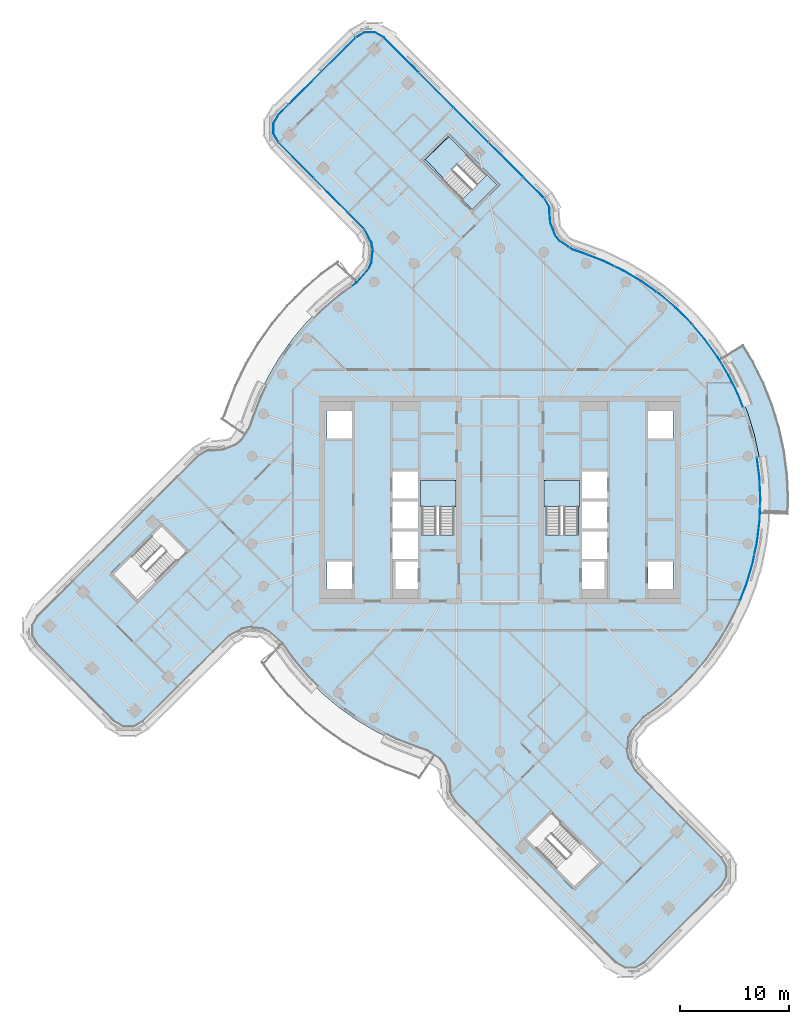
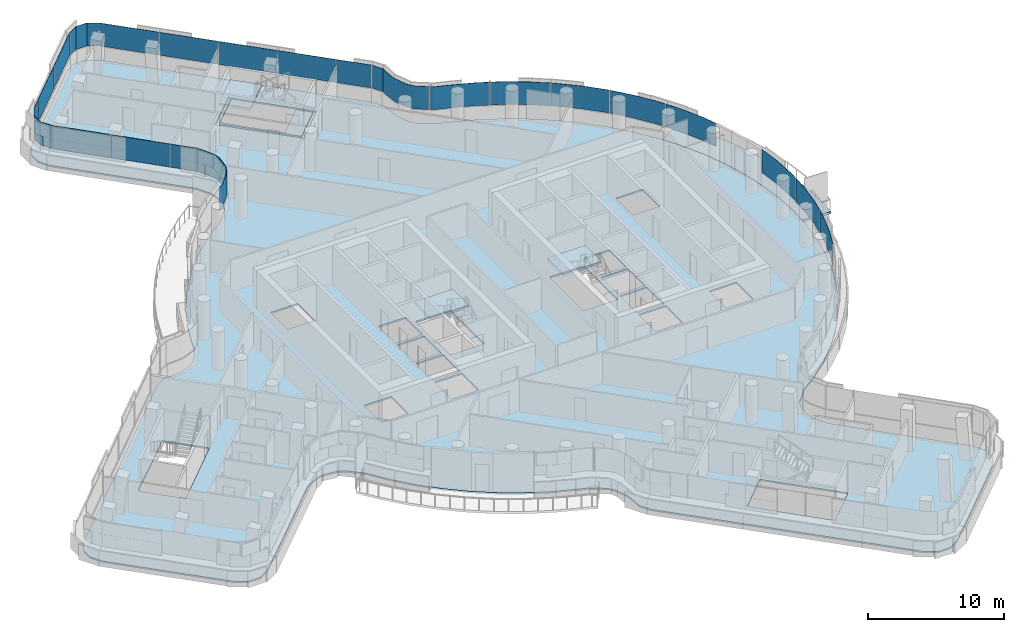
# One storey, part 17 of 31: 21 plates, 6 slabs, 8 elements without a shape of their own.
"""IFC4 building model written with IfcOpenShell, lengths in metres."""

from ifc_helpers import new_model, si_unit, direction, frame, origin, place, context, subcontext, project, spatial, polyline, outline, extrude, material, layer, layer_set, type_object, element, aggregate, save


model = new_model("IFC4")

# Units and contexts
model_context = context("Model", 3, precision=1e-05, world=origin(), true_north=direction((0.0, 1.0)))
body_context = subcontext(model_context, "Body", "Model", "MODEL_VIEW")
ifc_project = project(units=[si_unit("LENGTHUNIT", "METRE"), si_unit("AREAUNIT", "SQUARE_METRE"), si_unit("VOLUMEUNIT", "CUBIC_METRE"), si_unit("PLANEANGLEUNIT", "RADIAN"), si_unit("MASSUNIT", "GRAM", prefix="KILO")], contexts=[model_context])

# Site, building, storey
site_placement = place(None, origin())
site = spatial("IfcSite", under=ifc_project, at=site_placement, CompositionType="ELEMENT")
building_placement = place(site_placement, origin())
building = spatial("IfcBuilding", under=site, at=building_placement, Name="Tamarind Cross Interchange Tower", CompositionType="ELEMENT")
storey_placement = place(building_placement, frame((0.0, 0.0, 196.89990234375)))
storey = spatial("IfcBuildingStorey", under=building, at=storey_placement, Name="L49", CompositionType="ELEMENT", Elevation=196.89990234375)

# Slabs
ifc_material_1 = material(Name="Precast concrete C40", Category="concrete")
ifc_layer_1 = layer(ifc_material_1, 0.199951171875)
ifc_layer_set_1 = layer_set([ifc_layer_1], Name="Precast concrete C40")
slab_type_1 = type_object("IfcSlabType", Name="Balcony slab", PredefinedType="BASESLAB", material=ifc_layer_set_1)
slab_1_placement = place(storey_placement, frame((0.0, 0.0, -0.199951171875)))
element("IfcSlab", 1, at=slab_1_placement, inside=storey, type_object=slab_type_1, Name="SLB-L49-BAL02", PredefinedType="BASESLAB", context=body_context, shape_type="SweptSolid", body=[
    extrude(outline(polyline([(23.948486328125, -1.169921875), (23.995849609375, 0.103271484375), (23.9052734375, 2.08447265625), (23.6513671875, 4.051513671875), (23.236083984375, 5.99072265625), (22.662109375, 7.88916015625), (21.93310546875, 9.733642578125), (21.054443359375, 11.511474609375), (20.2138671875, 12.908447265625), (22.2705078125, 14.145751953125), (23.162109375, 12.663818359375), (24.128662109375, 10.7080078125), (24.9306640625, 8.6787109375), (25.56201171875, 6.59033203125), (26.01904296875, 4.45703125), (26.298095703125, 2.293212890625), (26.397705078125, 0.113525390625), (26.346923828125, -1.2587890625), (23.948486328125, -1.169921875)])), origin(), (0.0, 0.0, 1.0), 0.199951171875),
])
ifc_material_2 = material(Name="Concrete C35", Category="concrete")
ifc_layer_2 = layer(ifc_material_2, 0.139892578125)
ifc_layer_set_2 = layer_set([ifc_layer_2], Name="Concrete C35")
slab_type_2 = type_object("IfcSlabType", Name="Composite slab 140 Concrete C35", PredefinedType="FLOOR", material=ifc_layer_set_2)
slab_2_placement = place(storey_placement, frame((0.0, 0.0, -0.139892578125)))
element("IfcSlab", 2, at=slab_2_placement, inside=storey, type_object=slab_type_2, Name="Floor slab L49", PredefinedType="FLOOR", context=body_context, shape_type="SweptSolid", body=[
    extrude(outline(polyline([(-4.708251953125, -26.83984375), (-4.2021484375, -27.69921875), (10.473388671875, -42.41259765625), (11.369384765625, -42.931396484375), (12.404541015625, -42.9326171875), (13.302001953125, -42.416259765625), (20.382080078125, -35.354248046875), (20.90087890625, -34.45849609375), (20.902099609375, -33.423095703125), (20.385498046875, -32.52587890625), (12.547119140625, -24.605712890625), (11.935546875, -23.4541015625), (11.82666015625, -22.89404296875), (11.9462890625, -21.746337890625), (12.168701171875, -21.220947265625), (13.239990234375, -20.01123046875), (14.820068359375, -18.87255859375), (16.327880859375, -17.584228515625), (17.72412109375, -16.17578125), (18.99951171875, -14.656982421875), (20.14501953125, -13.0380859375), (21.15283203125, -11.329833984375), (22.01611328125, -9.54443359375), (22.72900390625, -7.693603515625), (23.286865234375, -5.79052734375), (23.685546875, -3.84765625), (23.92236328125, -1.878662109375), (23.99560546875, 0.103271484375), (23.9052734375, 2.08447265625), (23.651611328125, 4.051513671875), (23.236083984375, 5.99072265625), (22.662109375, 7.88916015625), (21.93310546875, 9.7333984375), (21.054443359375, 11.511474609375), (20.031982421875, 13.2109375), (18.87255859375, 14.820068359375), (17.584228515625, 16.327880859375), (16.17578125, 17.72412109375), (14.656982421875, 18.99951171875), (13.0380859375, 20.14501953125), (11.329833984375, 21.15283203125), (9.54443359375, 22.01611328125), (7.693603515625, 22.72900390625), (6.697998046875, 23.072265625), (5.597412109375, 23.809814453125), (5.2333984375, 24.260498046875), (4.80029296875, 25.35009765625), (4.725341796875, 26.229736328125), (4.708251953125, 26.83984375), (4.2021484375, 27.69921875), (-10.473388671875, 42.41259765625), (-11.369384765625, 42.931396484375), (-12.404541015625, 42.9326171875), (-13.302001953125, 42.416259765625), (-20.382080078125, 35.354248046875), (-20.90087890625, 34.45849609375), (-20.902099609375, 33.423095703125), (-20.385498046875, 32.52587890625), (-12.547119140625, 24.605712890625), (-11.935546875, 23.4541015625), (-11.82666015625, 22.89404296875), (-11.9462890625, 21.746337890625), (-12.168701171875, 21.220947265625), (-13.239990234375, 20.01123046875), (-14.820068359375, 18.87255859375), (-16.327880859375, 17.584228515625), (-17.72412109375, 16.17578125), (-18.99951171875, 14.656982421875), (-20.14501953125, 13.0380859375), (-21.15283203125, 11.329833984375), (-22.01611328125, 9.54443359375), (-22.72900390625, 7.693603515625), (-23.072265625, 6.697998046875), (-23.809814453125, 5.597412109375), (-24.260498046875, 5.2333984375), (-25.35009765625, 4.80029296875), (-26.229736328125, 4.725341796875), (-26.83984375, 4.708251953125), (-27.69921875, 4.2021484375), (-42.41259765625, -10.473388671875), (-42.931396484375, -11.369384765625), (-42.9326171875, -12.404541015625), (-42.416259765625, -13.302001953125), (-35.354248046875, -20.382080078125), (-34.45849609375, -20.90087890625), (-33.423095703125, -20.902099609375), (-32.52587890625, -20.385498046875), (-24.605712890625, -12.547119140625), (-23.4541015625, -11.935546875), (-22.89404296875, -11.82666015625), (-21.746337890625, -11.9462890625), (-21.220947265625, -12.168701171875), (-20.01123046875, -13.239990234375), (-18.87255859375, -14.820068359375), (-17.584228515625, -16.327880859375), (-16.17578125, -17.72412109375), (-14.656982421875, -18.99951171875), (-13.0380859375, -20.14501953125), (-11.329833984375, -21.15283203125), (-9.54443359375, -22.01611328125), (-7.693603515625, -22.72900390625), (-6.697998046875, -23.072265625), (-5.597412109375, -23.809814453125), (-5.2333984375, -24.260498046875), (-4.80029296875, -25.35009765625), (-4.725341796875, -26.229736328125), (-4.708251953125, -26.83984375)]), holes=[polyline([(-33.113525390625, -9.390380859375), (-33.2548828125, -9.24853515625), (-35.5146484375, -6.98291015625), (-35.656005859375, -6.84130859375), (-35.4541015625, -6.639892578125), (-35.49560546875, -6.5966796875), (-33.12451171875, -4.31640625), (-30.912353515625, -2.10986328125), (-30.77099609375, -2.25146484375), (-28.51123046875, -4.51708984375), (-28.3701171875, -4.65869140625), (-33.113525390625, -9.390380859375)]), polyline([(-13.5, -8.125), (-15.800048828125, -8.125), (-15.800048828125, -5.625), (-13.5, -5.625), (-13.5, -8.125)]), polyline([(-7.5, -8.125), (-9.800048828125, -8.125), (-9.800048828125, -5.625), (-7.5, -5.625), (-7.5, -8.125)]), polyline([(-7.5, -5.375), (-9.800048828125, -5.375), (-9.800048828125, -2.875), (-7.5, -2.875), (-7.5, -5.375)]), polyline([(-7.5, -2.625), (-9.800048828125, -2.625), (-9.800048828125, -0.125), (-7.5, -0.125), (-7.5, -2.625)]), polyline([(-4.199951171875, 1.800048828125), (-4.199951171875, -3.18798828125), (-7.14990234375, -3.18798828125), (-7.14990234375, 1.800048828125), (-4.199951171875, 1.800048828125)]), polyline([(-7.5, 0.125), (-9.800048828125, 0.125), (-9.800048828125, 2.625), (-7.5, 2.625), (-7.5, 0.125)]), polyline([(-13.5, 5.625), (-15.800048828125, 5.625), (-15.800048828125, 8.125), (-13.5, 8.125), (-13.5, 5.625)]), polyline([(0.0087890625, 28.7880859375), (-0.1328125, 28.64697265625), (-2.3984375, 26.38720703125), (-2.5400390625, 26.245849609375), (-7.271728515625, 30.989501953125), (-7.130126953125, 31.130859375), (-4.864501953125, 33.390625), (-4.722900390625, 33.531982421875), (-4.52099609375, 33.32958984375), (-4.517333984375, 33.333251953125), (-4.31640625, 33.12451171875), (0.0087890625, 28.7880859375)]), polyline([(6.98291015625, -35.5146484375), (6.84130859375, -35.656005859375), (6.639892578125, -35.4541015625), (6.5966796875, -35.49560546875), (4.31640625, -33.12451171875), (2.10986328125, -30.912353515625), (2.25146484375, -30.77099609375), (4.51708984375, -28.51123046875), (4.65869140625, -28.3701171875), (9.390380859375, -33.113525390625), (9.24853515625, -33.2548828125), (6.98291015625, -35.5146484375)]), polyline([(7.5, -5.625), (9.800048828125, -5.625), (9.800048828125, -8.125), (7.5, -8.125), (7.5, -5.625)]), polyline([(13.5, -5.625), (15.800048828125, -5.625), (15.800048828125, -8.125), (13.5, -8.125), (13.5, -5.625)]), polyline([(7.5, -2.875), (9.800048828125, -2.875), (9.800048828125, -5.375), (7.5, -5.375), (7.5, -2.875)]), polyline([(7.5, -0.125), (9.800048828125, -0.125), (9.800048828125, -2.625), (7.5, -2.625), (7.5, -0.125)]), polyline([(7.14990234375, 1.800048828125), (7.14990234375, -3.18798828125), (4.199951171875, -3.18798828125), (4.199951171875, 1.800048828125), (7.14990234375, 1.800048828125)]), polyline([(7.5, 2.625), (9.800048828125, 2.625), (9.800048828125, 0.125), (7.5, 0.125), (7.5, 2.625)]), polyline([(13.5, 8.125), (15.800048828125, 8.125), (15.800048828125, 5.625), (13.5, 5.625), (13.5, 8.125)])]), origin(), (0.0, 0.0, 1.0), 0.139892578125),
])
slab_3_placement = place(storey_placement, frame((0.0, 0.0, -0.139892578125)))
element("IfcSlab", 3, at=slab_3_placement, inside=storey, type_object=slab_type_2, Name="Floor slab L49", PredefinedType="FLOOR", context=body_context, shape_type="SweptSolid", body=[
    extrude(outline(polyline([(-4.72314453125, 33.2490234375), (-6.98876953125, 30.9892578125), (-2.539794921875, 26.52880859375), (-0.274169921875, 28.78857421875), (-1.20068359375, 29.717529296875), (-3.384521484375, 27.5390625), (-6.82373046875, 31.115234375), (-4.665283203125, 33.19091796875), (-4.72314453125, 33.2490234375)])), origin(), (0.0, 0.0, 1.0), 0.139892578125),
])

# Stair, slab
ifc_material_3 = material(Name="Exit stair")
stair_type = type_object("IfcStairType", Name="Exit stair", PredefinedType="HALF_TURN_STAIR", material=ifc_material_3)
stair_1_placement = place(storey_placement, origin())
stair_1 = element("IfcStair", 4, at=stair_1_placement, inside=storey, type_object=stair_type, Name="L49 exit stair ST1", PredefinedType="HALF_TURN_STAIR")
ifc_material_4 = material(Name="Concrete C40", Category="concrete")
ifc_layer_3 = layer(ifc_material_4, 0.199951171875)
ifc_layer_set_3 = layer_set([ifc_layer_3], Name="Concrete C40")
slab_type_3 = type_object("IfcSlabType", Name="Stair landing", PredefinedType="LANDING", material=ifc_layer_set_3)
slab_4_placement = place(storey_placement, frame((0.0, 0.0, 1.60009765625)))
slab_4 = element("IfcSlab", 5, at=slab_4_placement, type_object=slab_type_3, Name="ST1 landing 1", PredefinedType="LANDING", context=body_context, shape_type="SweptSolid", body=[
    extrude(outline(polyline([(-4.0, -0.60009765625), (-4.0, 1.800048828125), (-7.25, 1.800048828125), (-7.25, -0.60009765625), (-4.0, -0.60009765625)])), origin(), (0.0, 0.0, 1.0), 0.199951171875),
])
aggregate(stair_1, [slab_4])

stair_2_placement = place(storey_placement, origin())
stair_2 = element("IfcStair", 6, at=stair_2_placement, inside=storey, type_object=stair_type, Name="L49 exit stair ST2", PredefinedType="HALF_TURN_STAIR")
slab_5_placement = place(storey_placement, frame((0.0, 0.0, 1.60009765625)))
slab_5 = element("IfcSlab", 7, at=slab_5_placement, type_object=slab_type_3, Name="ST2 landing 1", PredefinedType="LANDING", context=body_context, shape_type="SweptSolid", body=[
    extrude(outline(polyline([(7.25, -0.60009765625), (7.25, 1.800048828125), (4.0, 1.800048828125), (4.0, -0.60009765625), (7.25, -0.60009765625)])), origin(), (0.0, 0.0, 1.0), 0.199951171875),
])
aggregate(stair_2, [slab_5])

stair_3_placement = place(storey_placement, origin())
stair_3 = element("IfcStair", 8, at=stair_3_placement, inside=storey, type_object=stair_type, Name="L49 exit stair ST4", PredefinedType="HALF_TURN_STAIR")
slab_6_placement = place(storey_placement, frame((0.0, 0.0, 1.60009765625)))
slab_6 = element("IfcSlab", 9, at=slab_6_placement, type_object=slab_type_3, Name="ST4 landing 1", PredefinedType="LANDING", context=body_context, shape_type="SweptSolid", body=[
    extrude(outline(polyline([(-3.019775390625, 31.541259765625), (-4.72314453125, 33.2490234375), (-6.98876953125, 30.9892578125), (-5.285400390625, 29.281494140625), (-3.019775390625, 31.541259765625)])), origin(), (0.0, 0.0, 1.0), 0.199951171875),
])
aggregate(stair_3, [slab_6])

# Curtain wall, plates
ifc_material_5 = material(Name="Aluminium 6063-T6", Category="aluminium")
ifc_layer_4 = layer(ifc_material_5, 0.139892578125)
ifc_layer_set_4 = layer_set([ifc_layer_4], Name="Aluminium 6063-T6")
curtain_wall_type = type_object("IfcCurtainWallType", Name="Hotel curtain wall, 4.5 m bays", PredefinedType="NOTDEFINED", material=ifc_layer_set_4)
curtain_wall_1_placement = place(storey_placement, origin())
curtain_wall_1 = element("IfcCurtainWall", 10, at=curtain_wall_1_placement, inside=storey, type_object=curtain_wall_type, Name="CWS-L49-02", PredefinedType="NOTDEFINED")
ifc_material_6 = material(Name="Laminated low-e glass 6+1.52+6", Category="glass")
ifc_layer_5 = layer(ifc_material_6, 0.02392578125)
ifc_layer_set_5 = layer_set([ifc_layer_5], Name="Laminated low-e glass 6+1.52+6")
plate_type = type_object("IfcPlateType", Name="Vision panel CW2", PredefinedType="CURTAIN_PANEL", material=ifc_layer_set_5)
plate_1_placement = place(storey_placement, frame((0.0, 0.0, 1.400146484375)))
plate_1 = element("IfcPlate", 11, at=plate_1_placement, type_object=plate_type, Name="CWP-L49-02-04", PredefinedType="CURTAIN_PANEL", context=body_context, shape_type="SweptSolid", body=[
    extrude(outline(polyline([(21.916015625, -9.21435546875), (22.528076171875, -7.625732421875), (23.080810546875, -5.7392578125), (23.22900390625, -5.017333984375), (23.25244140625, -5.022216796875), (23.104248046875, -5.7451171875), (22.55078125, -7.63330078125), (21.9384765625, -9.222900390625), (21.916015625, -9.21435546875)])), origin(), (0.0, 0.0, 1.0), 2.06005859375),
])
plate_2_placement = place(storey_placement, frame((0.0, 0.0, 1.400146484375)))
plate_2 = element("IfcPlate", 12, at=plate_2_placement, type_object=plate_type, Name="CWP-L49-02-05", PredefinedType="CURTAIN_PANEL", context=body_context, shape_type="SweptSolid", body=[
    extrude(outline(polyline([(23.2412109375, -4.95849609375), (23.47607421875, -3.813720703125), (23.710693359375, -1.862060546875), (23.7578125, -0.592041015625), (23.78173828125, -0.593017578125), (23.734619140625, -1.864013671875), (23.499755859375, -3.817626953125), (23.2646484375, -4.96337890625), (23.2412109375, -4.95849609375)])), origin(), (0.0, 0.0, 1.0), 2.06005859375),
])
plate_3_placement = place(storey_placement, frame((0.0, 0.0, 1.400146484375)))
plate_3 = element("IfcPlate", 13, at=plate_3_placement, type_object=plate_type, Name="CWP-L49-02-06", PredefinedType="CURTAIN_PANEL", context=body_context, shape_type="SweptSolid", body=[
    extrude(outline(polyline([(23.760009765625, -0.5322265625), (23.783447265625, 0.102294921875), (23.69384765625, 2.06591796875), (23.462890625, 3.855712890625), (23.48681640625, 3.85888671875), (23.7177734375, 2.068115234375), (23.8076171875, 0.1025390625), (23.783935546875, -0.532958984375), (23.760009765625, -0.5322265625)])), origin(), (0.0, 0.0, 1.0), 2.06005859375),
])
plate_4_placement = place(storey_placement, frame((0.0, 0.0, 1.400146484375)))
plate_4 = element("IfcPlate", 14, at=plate_4_placement, type_object=plate_type, Name="CWP-L49-02-08", PredefinedType="CURTAIN_PANEL", context=body_context, shape_type="SweptSolid", body=[
    extrude(outline(polyline([(22.199462890625, 8.482666015625), (21.7392578125, 9.6474609375), (20.868408203125, 11.40966796875), (20.25634765625, 12.4267578125), (20.27685546875, 12.439208984375), (20.889404296875, 11.421142578125), (21.76123046875, 9.6572265625), (22.221923828125, 8.491455078125), (22.199462890625, 8.482666015625)])), origin(), (0.0, 0.0, 1.0), 2.06005859375),
])
plate_5_placement = place(storey_placement, frame((0.0, 0.0, 1.400146484375)))
plate_5 = element("IfcPlate", 15, at=plate_5_placement, type_object=plate_type, Name="CWP-L49-02-09", PredefinedType="CURTAIN_PANEL", context=body_context, shape_type="SweptSolid", body=[
    extrude(outline(polyline([(20.225341796875, 12.478271484375), (19.854736328125, 13.093994140625), (18.705810546875, 14.68896484375), (17.587890625, 15.997314453125), (17.606201171875, 16.0126953125), (18.724609375, 14.703857421875), (19.874755859375, 13.107177734375), (20.245849609375, 12.49072265625), (20.225341796875, 12.478271484375)])), origin(), (0.0, 0.0, 1.0), 2.06005859375),
])
plate_6_placement = place(storey_placement, frame((0.0, 0.0, 1.400146484375)))
plate_6 = element("IfcPlate", 16, at=plate_6_placement, type_object=plate_type, Name="CWP-L49-02-10", PredefinedType="CURTAIN_PANEL", context=body_context, shape_type="SweptSolid", body=[
    extrude(outline(polyline([(17.549072265625, 16.042724609375), (17.4287109375, 16.183349609375), (16.032958984375, 17.5673828125), (14.52734375, 18.83154296875), (14.29296875, 18.997314453125), (14.306884765625, 19.016845703125), (14.5419921875, 18.850341796875), (16.049072265625, 17.585205078125), (17.4462890625, 16.19970703125), (17.567138671875, 16.058349609375), (17.549072265625, 16.042724609375)])), origin(), (0.0, 0.0, 1.0), 2.06005859375),
])
plate_7_placement = place(storey_placement, frame((0.0, 0.0, 1.400146484375)))
plate_7 = element("IfcPlate", 17, at=plate_7_placement, type_object=plate_type, Name="CWP-L49-02-11", PredefinedType="CURTAIN_PANEL", context=body_context, shape_type="SweptSolid", body=[
    extrude(outline(polyline([(14.243896484375, 19.031982421875), (12.922607421875, 19.966796875), (11.229736328125, 20.9658203125), (10.49072265625, 21.322998046875), (10.501220703125, 21.3447265625), (11.240966796875, 20.98681640625), (12.935791015625, 19.987060546875), (14.2578125, 19.051513671875), (14.243896484375, 19.031982421875)])), origin(), (0.0, 0.0, 1.0), 2.06005859375),
])
plate_8_placement = place(storey_placement, frame((0.0, 0.0, 1.400146484375)))
plate_8 = element("IfcPlate", 18, at=plate_8_placement, type_object=plate_type, Name="CWP-L49-02-12", PredefinedType="CURTAIN_PANEL", context=body_context, shape_type="SweptSolid", body=[
    extrude(outline(polyline([(10.436767578125, 21.34912109375), (9.4599609375, 21.821533203125), (7.62109375, 22.530029296875), (6.60302734375, 22.880615234375), (6.348876953125, 23.051025390625), (6.3623046875, 23.07080078125), (6.61376953125, 22.90234375), (7.62939453125, 22.552490234375), (9.469482421875, 21.843505859375), (10.447021484375, 21.370849609375), (10.436767578125, 21.34912109375)])), origin(), (0.0, 0.0, 1.0), 2.06005859375),
])
plate_9_placement = place(storey_placement, frame((0.0, 0.0, 1.400146484375)))
plate_9 = element("IfcPlate", 19, at=plate_9_placement, type_object=plate_type, Name="CWP-L49-02-13", PredefinedType="CURTAIN_PANEL", context=body_context, shape_type="SweptSolid", body=[
    extrude(outline(polyline([(6.299072265625, 23.084228515625), (5.45263671875, 23.651611328125), (5.048095703125, 24.15234375), (4.591796875, 25.301025390625), (4.513671875, 26.2177734375), (4.497802734375, 26.779296875), (4.047607421875, 27.5439453125), (4.068359375, 27.55615234375), (4.521728515625, 26.7861328125), (4.53759765625, 26.21923828125), (4.615234375, 25.306640625), (5.069091796875, 24.16455078125), (5.468994140625, 23.66943359375), (6.3125, 23.104248046875), (6.299072265625, 23.084228515625)])), origin(), (0.0, 0.0, 1.0), 2.06005859375),
])
aggregate(curtain_wall_1, [plate_1, plate_2, plate_3, plate_4, plate_5, plate_6, plate_7, plate_8, plate_9])

curtain_wall_2_placement = place(storey_placement, origin())
curtain_wall_2 = element("IfcCurtainWall", 20, at=curtain_wall_2_placement, inside=storey, type_object=curtain_wall_type, Name="CWS-L49-03", PredefinedType="NOTDEFINED")
plate_10_placement = place(storey_placement, frame((0.0, 0.0, 1.400146484375)))
plate_10 = element("IfcPlate", 21, at=plate_10_placement, type_object=plate_type, Name="CWP-L49-03-00", PredefinedType="CURTAIN_PANEL", context=body_context, shape_type="SweptSolid", body=[
    extrude(outline(polyline([(4.012939453125, 27.588623046875), (2.130615234375, 29.47607421875), (2.1474609375, 29.492919921875), (4.030029296875, 27.605712890625), (4.012939453125, 27.588623046875)])), origin(), (0.0, 0.0, 1.0), 2.06005859375),
])
plate_11_placement = place(storey_placement, frame((0.0, 0.0, 1.400146484375)))
plate_11 = element("IfcPlate", 22, at=plate_11_placement, type_object=plate_type, Name="CWP-L49-03-01", PredefinedType="CURTAIN_PANEL", context=body_context, shape_type="SweptSolid", body=[
    extrude(outline(polyline([(2.088134765625, 29.5185546875), (-1.039306640625, 32.654052734375), (-1.0224609375, 32.671142578125), (2.105224609375, 29.535400390625), (2.088134765625, 29.5185546875)])), origin(), (0.0, 0.0, 1.0), 2.06005859375),
])
plate_12_placement = place(storey_placement, frame((0.0, 0.0, 1.400146484375)))
plate_12 = element("IfcPlate", 23, at=plate_12_placement, type_object=plate_type, Name="CWP-L49-03-02", PredefinedType="CURTAIN_PANEL", context=body_context, shape_type="SweptSolid", body=[
    extrude(outline(polyline([(-1.081787109375, 32.696533203125), (-4.20947265625, 35.832275390625), (-4.1923828125, 35.84912109375), (-1.064697265625, 32.713623046875), (-1.081787109375, 32.696533203125)])), origin(), (0.0, 0.0, 1.0), 2.06005859375),
])
plate_13_placement = place(storey_placement, frame((0.0, 0.0, 1.400146484375)))
plate_13 = element("IfcPlate", 24, at=plate_13_placement, type_object=plate_type, Name="CWP-L49-03-03", PredefinedType="CURTAIN_PANEL", context=body_context, shape_type="SweptSolid", body=[
    extrude(outline(polyline([(-4.251708984375, 35.874755859375), (-7.37939453125, 39.010498046875), (-7.3623046875, 39.02734375), (-4.23486328125, 35.8916015625), (-4.251708984375, 35.874755859375)])), origin(), (0.0, 0.0, 1.0), 2.06005859375),
])
plate_14_placement = place(storey_placement, frame((0.0, 0.0, 1.400146484375)))
plate_14 = element("IfcPlate", 25, at=plate_14_placement, type_object=plate_type, Name="CWP-L49-03-04", PredefinedType="CURTAIN_PANEL", context=body_context, shape_type="SweptSolid", body=[
    extrude(outline(polyline([(-7.421875, 39.052978515625), (-10.603759765625, 42.2431640625), (-11.426513671875, 42.719482421875), (-12.34814453125, 42.720703125), (-13.147216796875, 42.2607421875), (-13.1591796875, 42.281494140625), (-12.3544921875, 42.74462890625), (-11.419921875, 42.743408203125), (-10.589111328125, 42.262451171875), (-7.40478515625, 39.06982421875), (-7.421875, 39.052978515625)])), origin(), (0.0, 0.0, 1.0), 2.06005859375),
])
aggregate(curtain_wall_2, [plate_10, plate_11, plate_12, plate_13, plate_14])

curtain_wall_3_placement = place(storey_placement, origin())
curtain_wall_3 = element("IfcCurtainWall", 26, at=curtain_wall_3_placement, inside=storey, type_object=curtain_wall_type, Name="CWS-L49-04", PredefinedType="NOTDEFINED")
plate_15_placement = place(storey_placement, frame((0.0, 0.0, 1.400146484375)))
plate_15 = element("IfcPlate", 27, at=plate_15_placement, type_object=plate_type, Name="CWP-L49-04-00", PredefinedType="CURTAIN_PANEL", context=body_context, shape_type="SweptSolid", body=[
    extrude(outline(polyline([(-13.192138671875, 42.226318359375), (-16.226318359375, 39.199951171875), (-16.2431640625, 39.216796875), (-13.208984375, 42.243408203125), (-13.192138671875, 42.226318359375)])), origin(), (0.0, 0.0, 1.0), 2.06005859375),
])
plate_16_placement = place(storey_placement, frame((0.0, 0.0, 1.400146484375)))
plate_16 = element("IfcPlate", 28, at=plate_16_placement, type_object=plate_type, Name="CWP-L49-04-01", PredefinedType="CURTAIN_PANEL", context=body_context, shape_type="SweptSolid", body=[
    extrude(outline(polyline([(-16.268798828125, 39.157470703125), (-19.302978515625, 36.131103515625), (-19.320068359375, 36.14794921875), (-16.28564453125, 39.174560546875), (-16.268798828125, 39.157470703125)])), origin(), (0.0, 0.0, 1.0), 2.06005859375),
])
plate_17_placement = place(storey_placement, frame((0.0, 0.0, 1.400146484375)))
plate_17 = element("IfcPlate", 29, at=plate_17_placement, type_object=plate_type, Name="CWP-L49-04-02", PredefinedType="CURTAIN_PANEL", context=body_context, shape_type="SweptSolid", body=[
    extrude(outline(polyline([(-19.345458984375, 36.088623046875), (-20.212646484375, 35.223876953125), (-20.68896484375, 34.4013671875), (-20.68994140625, 33.479736328125), (-20.229736328125, 32.68017578125), (-20.250732421875, 32.668212890625), (-20.714111328125, 33.47314453125), (-20.712890625, 34.40771484375), (-20.231689453125, 35.238525390625), (-19.362548828125, 36.105712890625), (-19.345458984375, 36.088623046875)])), origin(), (0.0, 0.0, 1.0), 2.06005859375),
])
aggregate(curtain_wall_3, [plate_15, plate_16, plate_17])

curtain_wall_4_placement = place(storey_placement, origin())
curtain_wall_4 = element("IfcCurtainWall", 30, at=curtain_wall_4_placement, inside=storey, type_object=curtain_wall_type, Name="CWS-L49-05", PredefinedType="NOTDEFINED")
plate_18_placement = place(storey_placement, frame((0.0, 0.0, 1.400146484375)))
plate_18 = element("IfcPlate", 31, at=plate_18_placement, type_object=plate_type, Name="CWP-L49-05-00", PredefinedType="CURTAIN_PANEL", context=body_context, shape_type="SweptSolid", body=[
    extrude(outline(polyline([(-20.195556640625, 32.63525390625), (-17.037109375, 29.44384765625), (-17.05419921875, 29.427001953125), (-20.212646484375, 32.618408203125), (-20.195556640625, 32.63525390625)])), origin(), (0.0, 0.0, 1.0), 2.06005859375),
])
plate_19_placement = place(storey_placement, frame((0.0, 0.0, 1.400146484375)))
plate_19 = element("IfcPlate", 32, at=plate_19_placement, type_object=plate_type, Name="CWP-L49-05-01", PredefinedType="CURTAIN_PANEL", context=body_context, shape_type="SweptSolid", body=[
    extrude(outline(polyline([(-16.994873046875, 29.401123046875), (-13.87060546875, 26.244384765625), (-13.8876953125, 26.2275390625), (-17.011962890625, 29.38427734375), (-16.994873046875, 29.401123046875)])), origin(), (0.0, 0.0, 1.0), 2.06005859375),
])
plate_20_placement = place(storey_placement, frame((0.0, 0.0, 1.400146484375)))
plate_20 = element("IfcPlate", 33, at=plate_20_placement, type_object=plate_type, Name="CWP-L49-05-02", PredefinedType="CURTAIN_PANEL", context=body_context, shape_type="SweptSolid", body=[
    extrude(outline(polyline([(-13.828369140625, 26.201904296875), (-12.396728515625, 24.75537109375), (-12.413818359375, 24.73828125), (-13.845458984375, 26.18505859375), (-13.828369140625, 26.201904296875)])), origin(), (0.0, 0.0, 1.0), 2.06005859375),
])
aggregate(curtain_wall_4, [plate_18, plate_19, plate_20])

# Curtain wall, plate
curtain_wall_5_placement = place(storey_placement, origin())
curtain_wall_5 = element("IfcCurtainWall", 34, at=curtain_wall_5_placement, inside=storey, type_object=curtain_wall_type, Name="CWS-L49-06", PredefinedType="NOTDEFINED")
plate_21_placement = place(storey_placement, frame((0.0, 0.0, 1.400146484375)))
plate_21 = element("IfcPlate", 35, at=plate_21_placement, type_object=plate_type, Name="CWP-L49-06-00", PredefinedType="CURTAIN_PANEL", context=body_context, shape_type="SweptSolid", body=[
    extrude(outline(polyline([(-12.359375, 24.70458984375), (-11.7333984375, 23.525634765625), (-11.612548828125, 22.903564453125), (-11.73876953125, 21.69287109375), (-11.98681640625, 21.1064453125), (-13.096923828125, 19.85302734375), (-13.538818359375, 19.534423828125), (-13.552978515625, 19.553955078125), (-13.113037109375, 19.870849609375), (-12.00732421875, 21.119384765625), (-11.762451171875, 21.698974609375), (-11.63671875, 22.902587890625), (-11.75634765625, 23.517578125), (-12.380615234375, 24.693359375), (-12.359375, 24.70458984375)])), origin(), (0.0, 0.0, 1.0), 2.06005859375),
])
aggregate(curtain_wall_5, [plate_21])

save(model, "model.ifc")
